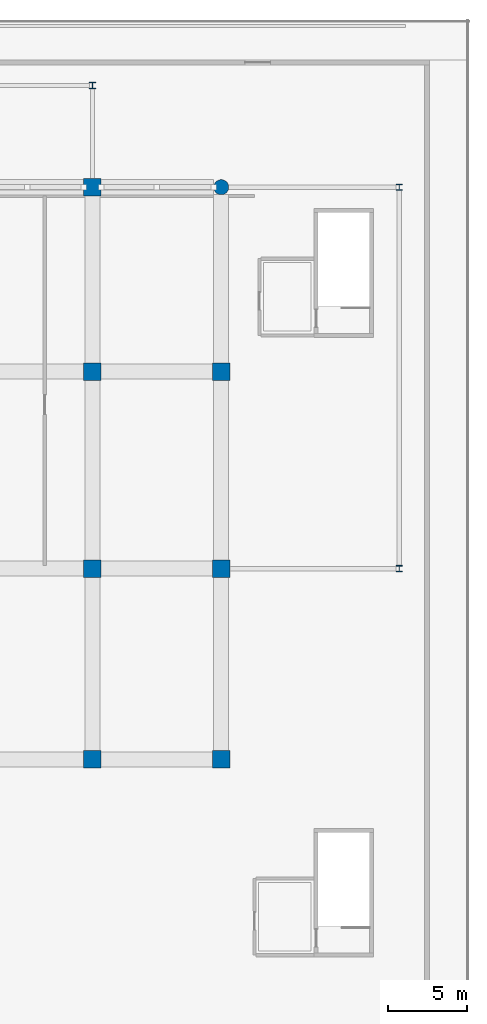
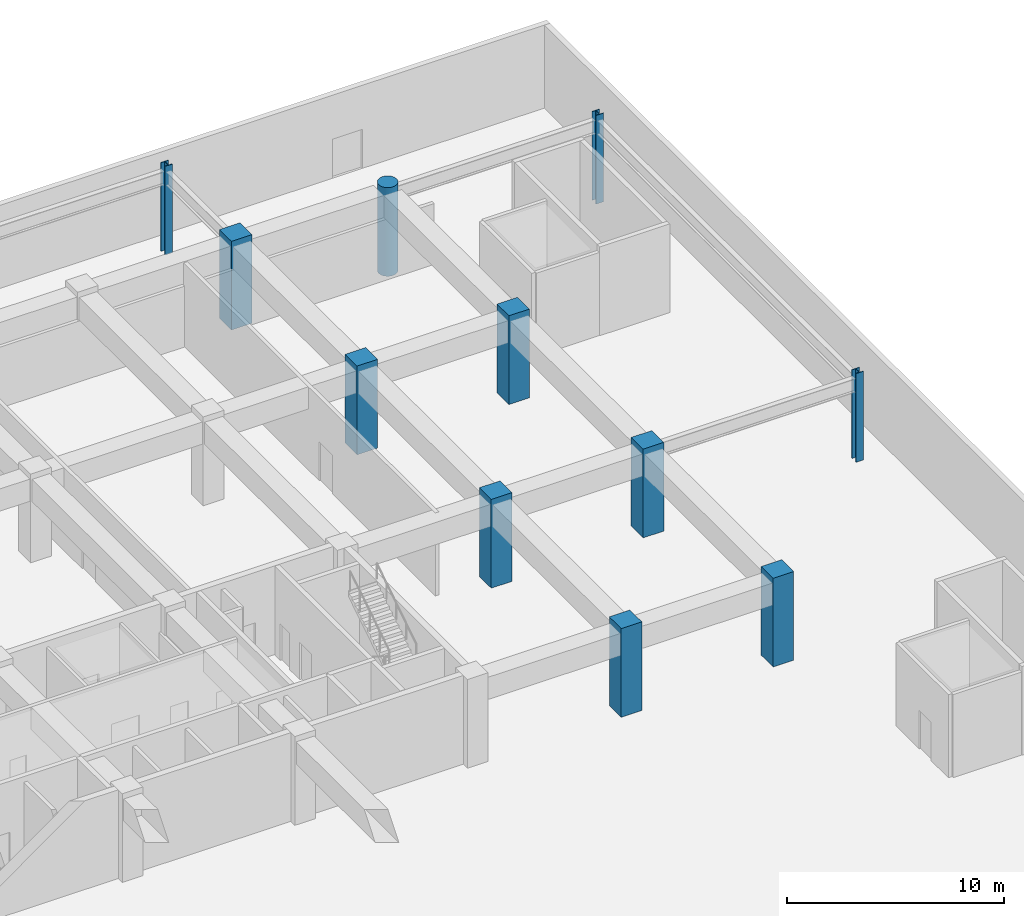
# One storey, part 6 of 38: 11 columns.
"""IFC4 building model written with IfcOpenShell, lengths in metres."""

from ifc_helpers import new_model, si_unit, direction, frame, origin, origin_2d, place, context, subcontext, project, spatial, rectangle, circle, i_section, extrude, material, material_profile, profile_set, type_object, element, save


model = new_model("IFC4")

# Units and contexts
model_context = context("Model", 3, precision=1e-05, world=origin(), true_north=direction((0.0, 1.0)))
body_context = subcontext(model_context, "Body", "Model", "MODEL_VIEW")
ifc_project = project(units=[si_unit("LENGTHUNIT", "METRE"), si_unit("AREAUNIT", "SQUARE_METRE"), si_unit("VOLUMEUNIT", "CUBIC_METRE"), si_unit("PLANEANGLEUNIT", "RADIAN"), si_unit("MASSUNIT", "GRAM", prefix="KILO")], contexts=[model_context])

# Site, building, storey
site_placement = place(None, origin())
site = spatial("IfcSite", under=ifc_project, at=site_placement, CompositionType="ELEMENT")
building_placement = place(site_placement, origin())
building = spatial("IfcBuilding", under=site, at=building_placement, Name="Korimba Cascade Residences", CompositionType="ELEMENT")
storey_placement = place(building_placement, frame((0.0, 0.0, 19.0)))
storey = spatial("IfcBuildingStorey", under=building, at=storey_placement, Name="L04", CompositionType="ELEMENT", Elevation=19.0)

# Columns
ifc_material_1 = material(Name="Concrete C80/95", Category="concrete")
ifc_material_profile_1 = material_profile(ifc_material_1, rectangle(XDim=1.10009765625, YDim=1.10009765625, at=origin_2d()), Name="Concrete C80/95")
ifc_profile_set_1 = profile_set([ifc_material_profile_1], Name="Concrete C80/95")
column_type_1 = type_object("IfcColumnType", Name="COL-RC-1100", PredefinedType="COLUMN", material=ifc_profile_set_1)
for number, where, z_axis, x_axis, name in (
    (1, (120.300048828125, 55.199951171875, 0.0), (0.0, 0.0, 1.0), (1.0, 0.0, 0.0), "L04 Tower 1 Column 8.1"),
    (2, (120.300048828125, 67.199951171875, 0.0), (0.0, 0.0, 1.0), (1.0, 0.0, 0.0), "L04 Tower 1 Column 8.2"),
    (3, (120.300048828125, 79.60009765625, 0.0), (0.0, 0.0, 1.0), (1.0, 0.0, 0.0), "L04 Tower 1 Column 8.3"),
    (4, (120.300048828125, 91.199951171875, 0.0), (0.0, 0.0, 1.0), (1.0, 0.0, 0.0), "L04 Tower 1 Column 8.4"),
    (5, (128.39990234375, 55.199951171875, 0.0), (0.0, 0.0, 1.0), (1.0, 0.0, 0.0), "L04 Tower 1 Column 9.1"),
    (6, (128.39990234375, 67.199951171875, 0.0), (0.0, 0.0, 1.0), (1.0, 0.0, 0.0), "L04 Tower 1 Column 9.2"),
    (7, (128.39990234375, 79.60009765625, 0.0), (0.0, 0.0, 1.0), (1.0, 0.0, 0.0), "L04 Tower 1 Column 9.3"),
):
    element("IfcColumn", number, at=place(storey_placement, frame(where, z_axis=z_axis, x_axis=x_axis)), inside=storey, type_object=column_type_1, Name=name, PredefinedType="COLUMN", context=body_context, shape_type="SweptSolid", body=[
        extrude(rectangle(XDim=1.10009765625, YDim=1.10009765625, at=origin_2d()), origin(), (0.0, 0.0, 1.0), 5.0),
    ])
ifc_material_profile_2 = material_profile(ifc_material_1, circle(Radius=0.47509765625, at=origin_2d()), Name="Concrete C80/95")
ifc_profile_set_2 = profile_set([ifc_material_profile_2], Name="Concrete C80/95")
column_type_2 = type_object("IfcColumnType", Name="COL-RC-D950", PredefinedType="COLUMN", material=ifc_profile_set_2)
column_placement = place(storey_placement, frame((128.39990234375, 91.199951171875, 0.0), z_axis=(0.0, 0.0, 1.0), x_axis=(1.0, 0.0, 0.0)))
element("IfcColumn", 8, at=column_placement, inside=storey, type_object=column_type_2, Name="L04 Tower 1 Column 9.4", PredefinedType="COLUMN", context=body_context, shape_type="SweptSolid", body=[
    extrude(circle(Radius=0.47509765625, at=origin_2d()), origin(), (0.0, 0.0, 1.0), 5.0),
])
ifc_material_2 = material(Name="Steel S355", Category="steel")
ifc_material_profile_3 = material_profile(ifc_material_2, i_section(OverallWidth=0.39892578125, OverallDepth=0.3935546875, WebThickness=0.022705078125, FlangeThickness=0.03662109375, FilletRadius=0.01513671875, at=origin_2d()), Name="Steel S355")
ifc_profile_set_3 = profile_set([ifc_material_profile_3], Name="Steel S355")
column_type_3 = type_object("IfcColumnType", Name="COL-STL-UC287", PredefinedType="COLUMN", material=ifc_profile_set_3)
for number, where, z_axis, x_axis, name in (
    (9, (139.60009765625, 67.199951171875, 0.0), (0.0, 0.0, 1.0), (1.0, 0.0, 0.0), "L04 Podium Column PCE3"),
    (10, (139.60009765625, 91.199951171875, 0.0), (0.0, 0.0, 1.0), (1.0, 0.0, 0.0), "L04 Podium Column PCE4"),
    (11, (120.300048828125, 97.60009765625, 0.0), (0.0, 0.0, 1.0), (1.0, 0.0, 0.0), "L04 Podium Column PCN3"),
):
    element("IfcColumn", number, at=place(storey_placement, frame(where, z_axis=z_axis, x_axis=x_axis)), inside=storey, type_object=column_type_3, Name=name, PredefinedType="COLUMN", context=body_context, shape_type="SweptSolid", body=[
        extrude(i_section(OverallWidth=0.39892578125, OverallDepth=0.3935546875, WebThickness=0.022705078125, FlangeThickness=0.03662109375, FilletRadius=0.01513671875, at=origin_2d()), origin(), (0.0, 0.0, 1.0), 5.0),
    ])

save(model, "model.ifc")
